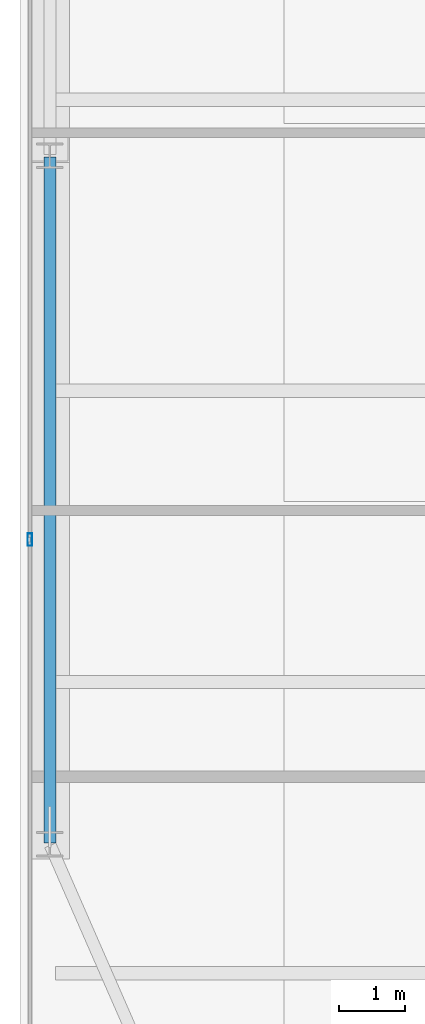
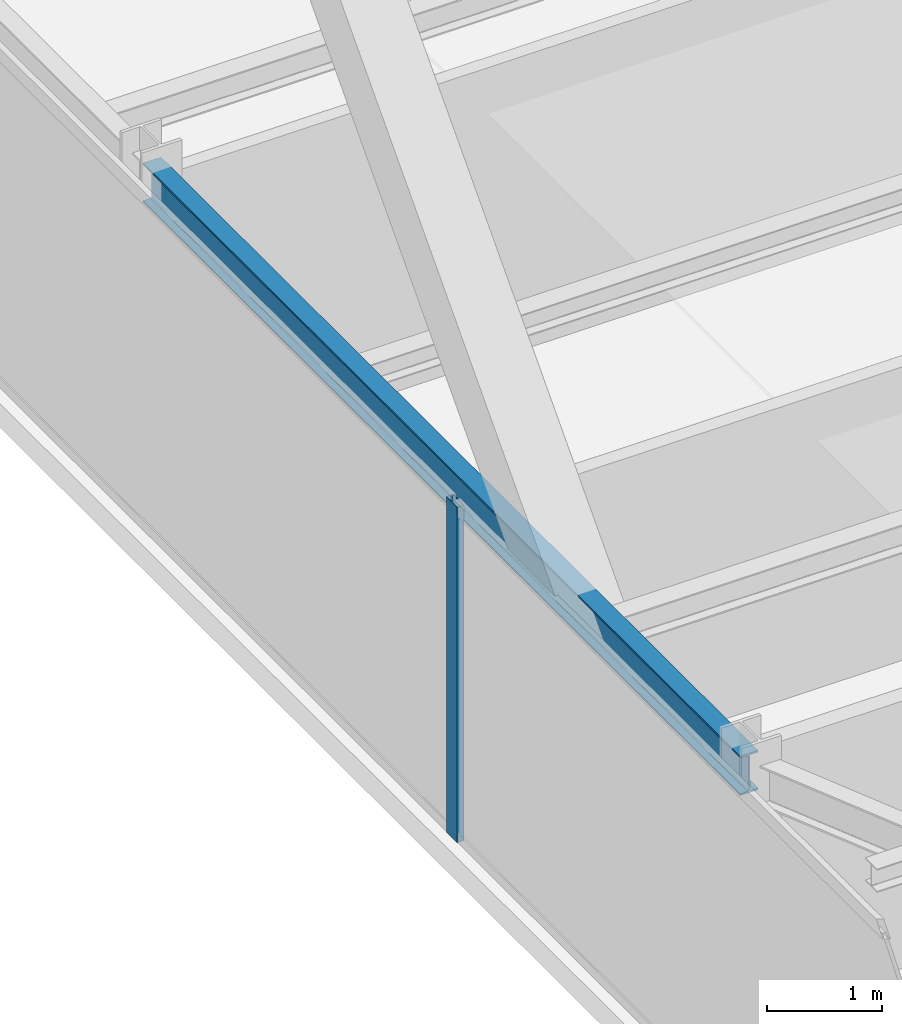
# One storey, part 10 of 38: 1 beam, 1 member, 1 element without a shape of its own.
"""IFC4 building model written with IfcOpenShell, lengths in metres."""

from ifc_helpers import new_model, si_unit, direction, frame, origin, origin_2d, place, context, subcontext, project, spatial, hollow_rectangle, i_section, extrude, source, transform, mapped, material, layer, layer_set, material_profile, profile_set, type_object, type_shapes, element, aggregate, save


model = new_model("IFC4")

# Units and contexts
model_context = context("Model", 3, precision=1e-05, world=origin(), true_north=direction((0.0, 1.0)))
body_context = subcontext(model_context, "Body", "Model", "MODEL_VIEW")
ifc_project = project(units=[si_unit("LENGTHUNIT", "METRE"), si_unit("AREAUNIT", "SQUARE_METRE"), si_unit("VOLUMEUNIT", "CUBIC_METRE"), si_unit("PLANEANGLEUNIT", "RADIAN"), si_unit("MASSUNIT", "GRAM", prefix="KILO")], contexts=[model_context])

# Site, building, storey
site_placement = place(None, origin())
site = spatial("IfcSite", under=ifc_project, at=site_placement, CompositionType="ELEMENT")
building_placement = place(site_placement, origin())
building = spatial("IfcBuilding", under=site, at=building_placement, Name="Varnel Quay Broadcast Tower", CompositionType="ELEMENT")
storey_placement = place(building_placement, frame((0.0, 0.0, 118.199951171875)))
storey = spatial("IfcBuildingStorey", under=building, at=storey_placement, Name="L28", CompositionType="ELEMENT", Elevation=118.199951171875)

# Beam
ifc_material_1 = material(Name="Structural Steel CSA G40.21 350W", Category="steel")
ifc_material_profile_1 = material_profile(ifc_material_1, i_section(OverallWidth=0.180908203125, OverallDepth=0.4169921875, WebThickness=0.010986328125, FlangeThickness=0.018310546875, FilletRadius=0.011962890625, at=origin_2d()), Name="W410X85")
ifc_profile_set_1 = profile_set([ifc_material_profile_1], Name="Structural Steel CSA G40.21 350W")
beam_type = type_object("IfcBeamType", Name="Beam_W410X85", PredefinedType="SPANDREL", material=ifc_profile_set_1)
shared_shape_1 = source(origin(), body_context, "Body", "SweptSolid", [
    extrude(i_section(OverallWidth=0.180908203125, OverallDepth=0.4169921875, WebThickness=0.010986328125, FlangeThickness=0.018310546875, FilletRadius=0.011962890625, at=origin_2d()), origin(), (0.0, 0.0, 1.0), 10.35986328125),
])
type_shapes(beam_type, [shared_shape_1])
beam_placement = place(storey_placement, frame((4.949951171875, 15.02001953125, 3.341552734375), z_axis=(0.0, 1.0, 0.0), x_axis=(-1.0, 0.0, 0.0)))
element("IfcBeam", 1, at=beam_placement, inside=storey, type_object=beam_type, Name="L28 West Spandrel TC-W1-TC-W2", PredefinedType="SPANDREL", context=body_context, shape_type="MappedRepresentation", body=[
    mapped(shared_shape_1, transform((0.0, 0.0, 0.0), x_axis=(1.0, 0.0, 0.0), y_axis=(0.0, 1.0, 0.0), z_axis=(0.0, 0.0, 1.0), scale=1.0)),
])

# Curtain wall, member
ifc_material_2 = material(Name="Anodised Bronze Aluminium 6063-T6", Category="aluminium")
ifc_layer = layer(ifc_material_2, 0.18994140625, Name="Anodised Bronze Aluminium 6063-T6")
ifc_layer_set = layer_set([ifc_layer], Name="Anodised Bronze Aluminium 6063-T6")
curtain_wall_type = type_object("IfcCurtainWallType", Name="CW_LowerTower", PredefinedType="NOTDEFINED", material=ifc_layer_set)
curtain_wall_placement = place(storey_placement, origin())
curtain_wall = element("IfcCurtainWall", 2, at=curtain_wall_placement, inside=storey, type_object=curtain_wall_type, Name="L28 West Unitised Curtain Wall", PredefinedType="NOTDEFINED")
ifc_material_profile_2 = material_profile(ifc_material_2, hollow_rectangle(XDim=0.070068359375, YDim=0.18994140625, WallThickness=0.00390625, at=origin_2d()), Name="ALU70X190X4")
ifc_profile_set_2 = profile_set([ifc_material_profile_2], Name="Anodised Bronze Aluminium 6063-T6")
member_type = type_object("IfcMemberType", Name="Mull_CWS-02", PredefinedType="MULLION", material=ifc_profile_set_2)
shared_shape_2 = source(origin(), body_context, "Body", "SweptSolid", [
    extrude(hollow_rectangle(XDim=0.070068359375, YDim=0.18994140625, WallThickness=0.00390625, at=origin_2d()), origin(), (0.0, 0.0, 1.0), 3.550048828125),
])
type_shapes(member_type, [shared_shape_2])
member_placement = place(storey_placement, frame((4.64990234375, 19.60009765625, 0.0), z_axis=(0.0, 0.0, 1.0), x_axis=(-1.0, 0.0, 0.0)))
member = element("IfcMember", 3, at=member_placement, type_object=member_type, Name="CWS-02 mullion 2", PredefinedType="MULLION", context=body_context, shape_type="MappedRepresentation", body=[
    mapped(shared_shape_2, transform((0.0, 0.0, 0.0), x_axis=(1.0, 0.0, 0.0), y_axis=(0.0, 1.0, 0.0), z_axis=(0.0, 0.0, 1.0), scale=1.0)),
])
aggregate(curtain_wall, [member])

save(model, "model.ifc")
